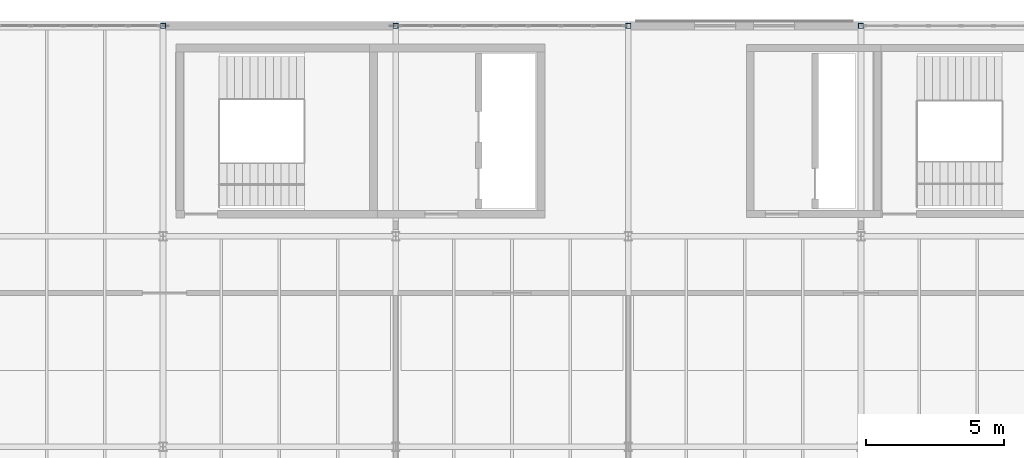
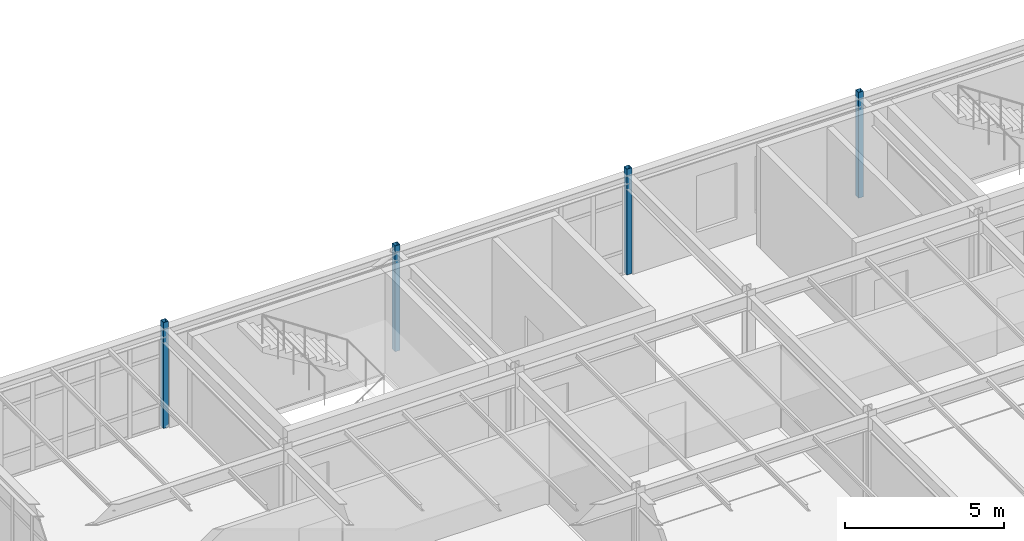
# One storey, part 6 of 65: 4 columns.
"""IFC4 building model written with IfcOpenShell, lengths in metres."""

from ifc_helpers import new_model, si_unit, direction, frame, origin, origin_2d, place, context, subcontext, project, spatial, hollow_rectangle, extrude, material, material_profile, profile_set, type_object, element, save


model = new_model("IFC4")

# Units and contexts
model_context = context("Model", 3, precision=1e-05, world=origin(), true_north=direction((0.0, 1.0)))
body_context = subcontext(model_context, "Body", "Model", "MODEL_VIEW")
ifc_project = project(units=[si_unit("LENGTHUNIT", "METRE"), si_unit("AREAUNIT", "SQUARE_METRE"), si_unit("VOLUMEUNIT", "CUBIC_METRE"), si_unit("PLANEANGLEUNIT", "RADIAN"), si_unit("MASSUNIT", "GRAM", prefix="KILO")], contexts=[model_context])

# Site, building, storey
site_placement = place(None, origin())
site = spatial("IfcSite", under=ifc_project, at=site_placement, CompositionType="ELEMENT")
building_placement = place(site_placement, origin())
building = spatial("IfcBuilding", under=site, at=building_placement, Name="Montecoro Central Library", CompositionType="ELEMENT")
storey_placement = place(building_placement, frame((0.0, 0.0, 17.340087890625)))
storey = spatial("IfcBuildingStorey", under=building, at=storey_placement, Name="L04", CompositionType="ELEMENT", Elevation=17.340087890625)

# Columns
ifc_material = material(Name="Steel S355", Category="steel")
ifc_material_profile = material_profile(ifc_material, hollow_rectangle(XDim=0.179931640625, YDim=0.179931640625, WallThickness=0.010009765625, at=origin_2d()), Name="SHS 180x180x10.0")
ifc_profile_set = profile_set([ifc_material_profile], Name="Steel S355")
column_type = type_object("IfcColumnType", Name="COL-SHS180", PredefinedType="COLUMN", material=ifc_profile_set)
for number, where, z_axis, x_axis, name in (
    (1, (74.800048828125, 119.0, 0.0), (0.0, 0.0, 1.0), (1.0, 0.0, 0.0), "V2-L04-COL-10-R"),
    (2, (83.199951171875, 119.0, 0.0), (0.0, 0.0, 1.0), (1.0, 0.0, 0.0), "V2-L04-COL-11-R"),
    (3, (91.60009765625, 119.0, 0.0), (0.0, 0.0, 1.0), (1.0, 0.0, 0.0), "V2-L04-COL-12-R"),
    (4, (100.0, 119.0, 0.0), (0.0, 0.0, 1.0), (1.0, 0.0, 0.0), "V2-L04-COL-13-R"),
):
    element("IfcColumn", number, at=place(storey_placement, frame(where, z_axis=z_axis, x_axis=x_axis)), inside=storey, type_object=column_type, Name=name, PredefinedType="COLUMN", context=body_context, shape_type="SweptSolid", body=[
        extrude(hollow_rectangle(XDim=0.179931640625, YDim=0.179931640625, WallThickness=0.010009765625, at=origin_2d()), origin(), (0.0, 0.0, 1.0), 4.054931640625),
    ])

save(model, "model.ifc")
